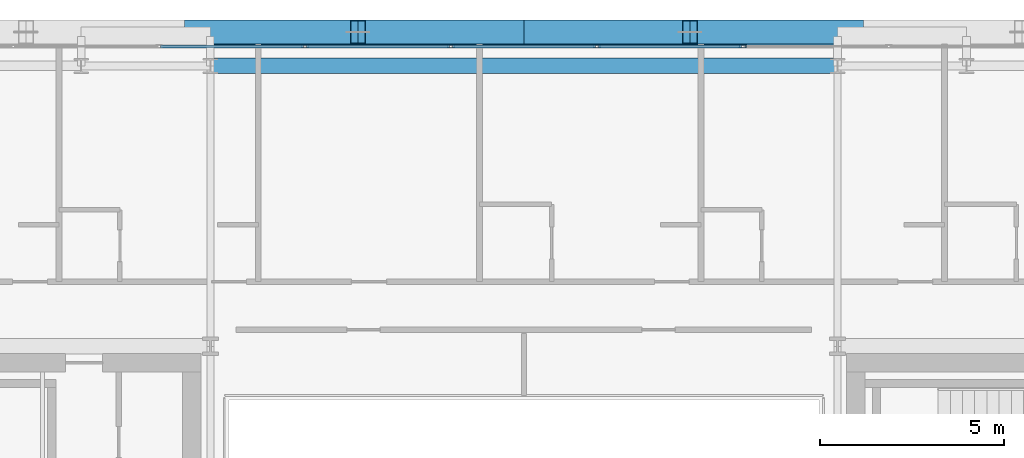
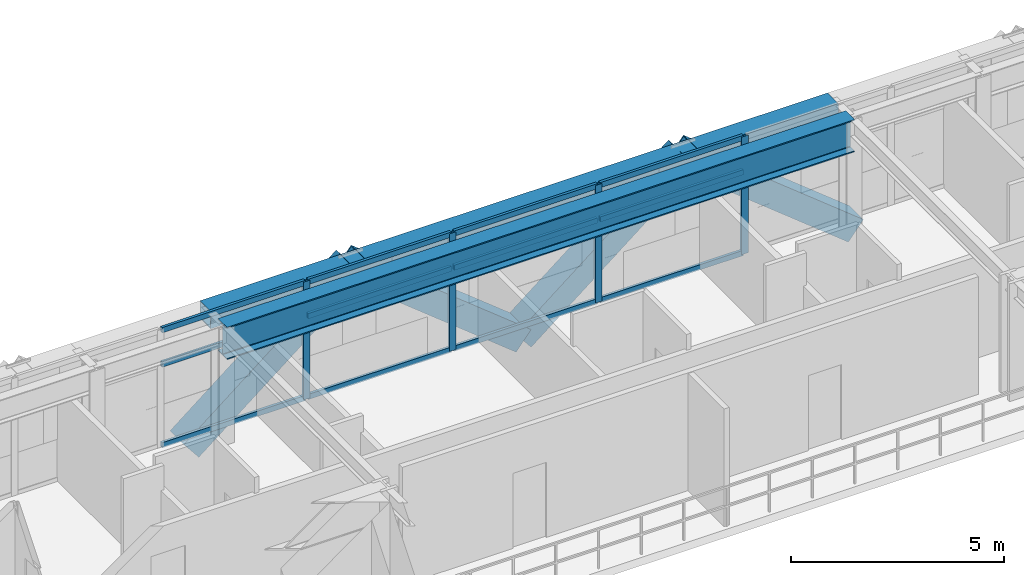
# One storey, part 17 of 31: 20 members, 2 beams, 1 element without a shape of its own.
"""IFC4 building model written with IfcOpenShell, lengths in metres."""

from ifc_helpers import new_model, si_unit, direction, frame, origin, origin_2d, place, context, subcontext, project, spatial, hollow_rectangle, i_section, extrude, source, transform, mapped, material, layer, layer_set, material_profile, profile_set, type_object, element, aggregate, save


model = new_model("IFC4")

# Units and contexts
model_context = context("Model", 3, precision=1e-05, world=origin(), true_north=direction((0.0, 1.0)))
body_context = subcontext(model_context, "Body", "Model", "MODEL_VIEW")
ifc_project = project(units=[si_unit("LENGTHUNIT", "METRE"), si_unit("AREAUNIT", "SQUARE_METRE"), si_unit("VOLUMEUNIT", "CUBIC_METRE"), si_unit("PLANEANGLEUNIT", "RADIAN"), si_unit("MASSUNIT", "GRAM", prefix="KILO")], contexts=[model_context])

# Site, building, storey
site_placement = place(None, origin())
site = spatial("IfcSite", under=ifc_project, at=site_placement, CompositionType="ELEMENT")
building_placement = place(site_placement, origin())
building = spatial("IfcBuilding", under=site, at=building_placement, Name="Ocotamira Hotel", CompositionType="ELEMENT")
storey_placement = place(building_placement, frame((0.0, 0.0, 202.800048828125)))
storey = spatial("IfcBuildingStorey", under=building, at=storey_placement, Name="L51", CompositionType="ELEMENT", Elevation=202.800048828125)

# Beams
ifc_material_1 = material(Name="Steel ASTM A992 Grade 50", Category="steel")
ifc_material_profile_1 = material_profile(ifc_material_1, i_section(OverallWidth=0.41796875, OverallDepth=0.927001953125, WebThickness=0.019287109375, FlangeThickness=0.031982421875, FilletRadius=0.02392578125, at=origin_2d()), Name="W36X231")
ifc_profile_set_1 = profile_set([ifc_material_profile_1], Name="Steel ASTM A992 Grade 50")
beam_type_1 = type_object("IfcBeamType", Name="BM-GIRD-W36X231", PredefinedType="BEAM", material=ifc_profile_set_1)
shared_shape_1 = source(origin(), body_context, "Body", "SweptSolid", [
    extrude(i_section(OverallWidth=0.41796875, OverallDepth=0.927001953125, WebThickness=0.019287109375, FlangeThickness=0.031982421875, FilletRadius=0.02392578125, at=origin_2d()), origin(), (0.0, 0.0, 1.0), 17.0),
])
beam_1_placement = place(storey_placement, frame((23.5, 45.050048828125, 2.906494140625), z_axis=(1.0, 0.0, 0.0), x_axis=(0.0, 1.0, 0.0)))
element("IfcBeam", 1, at=beam_1_placement, inside=storey, type_object=beam_type_1, Name="L51 Girder Y45.05 X23.5-40.5", PredefinedType="BEAM", context=body_context, shape_type="MappedRepresentation", body=[
    mapped(shared_shape_1, transform((0.0, 0.0, 0.0), scale=1.0)),
])
ifc_material_2 = material(Name="Steel ASTM A500 Grade C", Category="steel")
ifc_material_profile_2 = material_profile(ifc_material_2, hollow_rectangle(XDim=0.5, YDim=0.5, WallThickness=0.02001953125, at=origin_2d()), Name="HSS500X500X20")
ifc_profile_set_2 = profile_set([ifc_material_profile_2], Name="Steel ASTM A500 Grade C")
beam_type_2 = type_object("IfcBeamType", Name="BM-SPAN-HSS500", PredefinedType="USERDEFINED", material=ifc_profile_set_2)
shared_shape_2 = source(origin(), body_context, "Body", "SweptSolid", [
    extrude(hollow_rectangle(XDim=0.5, YDim=0.5, WallThickness=0.02001953125, at=origin_2d()), origin(), (0.0, 0.0, 1.0), 17.0),
])
beam_2_placement = place(storey_placement, frame((23.5, 45.85009765625, 3.119873046875), z_axis=(1.0, 0.0, 0.0), x_axis=(0.0, 1.0, 0.0)))
element("IfcBeam", 2, at=beam_2_placement, inside=storey, type_object=beam_type_2, Name="L51 Edge Spandrel N X23.5-40.5", ObjectType="SPANDREL", PredefinedType="USERDEFINED", context=body_context, shape_type="MappedRepresentation", body=[
    mapped(shared_shape_2, transform((0.0, 0.0, 0.0), scale=1.0)),
])

# Members
ifc_material_3 = material(Name="Pale-metal coated steel ASTM A913 Grade 65", Category="steel")
ifc_material_profile_3 = material_profile(ifc_material_3, hollow_rectangle(XDim=0.64990234375, YDim=0.64990234375, WallThickness=0.02197265625, at=origin_2d()), Name="BOX650X650X22")
ifc_profile_set_3 = profile_set([ifc_material_profile_3], Name="Pale-metal coated steel ASTM A913 Grade 65")
member_type_1 = type_object("IfcMemberType", Name="MEM-EXO-BOX650", PredefinedType="BRACE", material=ifc_profile_set_3)
shared_shape_3 = source(origin(), body_context, "Body", "SweptSolid", [
    extrude(hollow_rectangle(XDim=0.64990234375, YDim=0.64990234375, WallThickness=0.02197265625, at=origin_2d()), origin(), (0.0, 0.0, 1.0), 5.7626953125),
])
for number, where, z_axis, x_axis, name in (
    (3, (23.0, 45.969970703125, -0.47998046875), (0.780881208953, 0.0, 0.624679547852), (0.0, 1.0, 0.0), "L51 Exoskeleton Diagrid N1.1"),
    (4, (32.0, 45.969970703125, -0.47998046875), (-0.780881208953, 0.0, 0.624679547852), (0.0, -1.0, 0.0), "L51 Exoskeleton Diagrid N1.2"),
    (5, (32.0, 45.969970703125, -0.47998046875), (0.780881208953, 0.0, 0.624679547852), (0.0, 1.0, 0.0), "L51 Exoskeleton Diagrid N2.1"),
    (6, (41.0, 45.969970703125, -0.47998046875), (-0.780881208953, 0.0, 0.624679547852), (0.0, -1.0, 0.0), "L51 Exoskeleton Diagrid N2.2"),
):
    element("IfcMember", number, at=place(storey_placement, frame(where, z_axis=z_axis, x_axis=x_axis)), inside=storey, type_object=member_type_1, Name=name, PredefinedType="BRACE", context=body_context, shape_type="MappedRepresentation", body=[
        mapped(shared_shape_3, transform((0.0, 0.0, 0.0), scale=1.0)),
    ])

# Curtain wall, members
ifc_material_4 = material(Name="Anodised pale-metal aluminium and solar glass", Category="aluminium")
ifc_layer = layer(ifc_material_4, 0.199951171875)
ifc_layer_set = layer_set([ifc_layer], Name="Anodised pale-metal aluminium and solar glass")
curtain_wall_type = type_object("IfcCurtainWallType", Name="CW-SYS4-Z3", PredefinedType="NOTDEFINED", material=ifc_layer_set)
curtain_wall_placement = place(storey_placement, origin())
curtain_wall = element("IfcCurtainWall", 7, at=curtain_wall_placement, inside=storey, type_object=curtain_wall_type, Name="L51 Curtain Wall CW-4 CW-L51-N", PredefinedType="NOTDEFINED")
ifc_material_5 = material(Name="Anodised pale-metal aluminium 6063-T6", Category="aluminium")
ifc_material_profile_4 = material_profile(ifc_material_5, hollow_rectangle(XDim=0.074951171875, YDim=0.14990234375, WallThickness=0.006103515625, at=origin_2d()), Name="HSS150X75X6")
ifc_profile_set_4 = profile_set([ifc_material_profile_4], Name="Anodised pale-metal aluminium 6063-T6")
member_type_2 = type_object("IfcMemberType", Name="CWT-150X75", PredefinedType="USERDEFINED", material=ifc_profile_set_4)
shared_shape_4 = source(origin(), body_context, "Body", "SweptSolid", [
    extrude(hollow_rectangle(XDim=0.074951171875, YDim=0.14990234375, WallThickness=0.006103515625, at=origin_2d()), origin(), (0.0, 0.0, 1.0), 3.87548828125),
])
member_1_placement = place(storey_placement, frame((22.151123046875, 45.580078125, 0.037353515625), z_axis=(1.0, 0.0, 0.0), x_axis=(0.0, 1.0, 0.0)))
member_1 = element("IfcMember", 8, at=member_1_placement, type_object=member_type_2, Name="CW-4 transom 3.1", ObjectType="TRANSOM", PredefinedType="USERDEFINED", context=body_context, shape_type="MappedRepresentation", body=[
    mapped(shared_shape_4, transform((0.0, 0.0, 0.0), scale=1.0)),
])
member_2_placement = place(storey_placement, frame((22.151123046875, 45.580078125, 2.349853515625), z_axis=(1.0, 0.0, 0.0), x_axis=(0.0, 1.0, 0.0)))
member_2 = element("IfcMember", 9, at=member_2_placement, type_object=member_type_2, Name="CW-4 transom 3.2", ObjectType="TRANSOM", PredefinedType="USERDEFINED", context=body_context, shape_type="MappedRepresentation", body=[
    mapped(shared_shape_4, transform((0.0, 0.0, 0.0), scale=1.0)),
])
member_3_placement = place(storey_placement, frame((22.151123046875, 45.580078125, 3.33251953125), z_axis=(1.0, 0.0, 0.0), x_axis=(0.0, 1.0, 0.0)))
member_3 = element("IfcMember", 10, at=member_3_placement, type_object=member_type_2, Name="CW-4 transom 3.3", ObjectType="TRANSOM", PredefinedType="USERDEFINED", context=body_context, shape_type="MappedRepresentation", body=[
    mapped(shared_shape_4, transform((0.0, 0.0, 0.0), scale=1.0)),
])
member_4_placement = place(storey_placement, frame((26.106689453125, 45.580078125, 0.037353515625), z_axis=(1.0, 0.0, 0.0), x_axis=(0.0, 1.0, 0.0)))
member_4 = element("IfcMember", 11, at=member_4_placement, type_object=member_type_2, Name="CW-4 transom 4.1", ObjectType="TRANSOM", PredefinedType="USERDEFINED", context=body_context, shape_type="MappedRepresentation", body=[
    mapped(shared_shape_4, transform((0.0, 0.0, 0.0), scale=1.0)),
])
member_5_placement = place(storey_placement, frame((26.106689453125, 45.580078125, 2.349853515625), z_axis=(1.0, 0.0, 0.0), x_axis=(0.0, 1.0, 0.0)))
member_5 = element("IfcMember", 12, at=member_5_placement, type_object=member_type_2, Name="CW-4 transom 4.2", ObjectType="TRANSOM", PredefinedType="USERDEFINED", context=body_context, shape_type="MappedRepresentation", body=[
    mapped(shared_shape_4, transform((0.0, 0.0, 0.0), scale=1.0)),
])
member_6_placement = place(storey_placement, frame((26.106689453125, 45.580078125, 3.33251953125), z_axis=(1.0, 0.0, 0.0), x_axis=(0.0, 1.0, 0.0)))
member_6 = element("IfcMember", 13, at=member_6_placement, type_object=member_type_2, Name="CW-4 transom 4.3", ObjectType="TRANSOM", PredefinedType="USERDEFINED", context=body_context, shape_type="MappedRepresentation", body=[
    mapped(shared_shape_4, transform((0.0, 0.0, 0.0), scale=1.0)),
])
member_7_placement = place(storey_placement, frame((30.062255859375, 45.580078125, 0.037353515625), z_axis=(1.0, 0.0, 0.0), x_axis=(0.0, 1.0, 0.0)))
member_7 = element("IfcMember", 14, at=member_7_placement, type_object=member_type_2, Name="CW-4 transom 5.1", ObjectType="TRANSOM", PredefinedType="USERDEFINED", context=body_context, shape_type="MappedRepresentation", body=[
    mapped(shared_shape_4, transform((0.0, 0.0, 0.0), scale=1.0)),
])
member_8_placement = place(storey_placement, frame((30.062255859375, 45.580078125, 2.349853515625), z_axis=(1.0, 0.0, 0.0), x_axis=(0.0, 1.0, 0.0)))
member_8 = element("IfcMember", 15, at=member_8_placement, type_object=member_type_2, Name="CW-4 transom 5.2", ObjectType="TRANSOM", PredefinedType="USERDEFINED", context=body_context, shape_type="MappedRepresentation", body=[
    mapped(shared_shape_4, transform((0.0, 0.0, 0.0), scale=1.0)),
])
member_9_placement = place(storey_placement, frame((30.062255859375, 45.580078125, 3.33251953125), z_axis=(1.0, 0.0, 0.0), x_axis=(0.0, 1.0, 0.0)))
member_9 = element("IfcMember", 16, at=member_9_placement, type_object=member_type_2, Name="CW-4 transom 5.3", ObjectType="TRANSOM", PredefinedType="USERDEFINED", context=body_context, shape_type="MappedRepresentation", body=[
    mapped(shared_shape_4, transform((0.0, 0.0, 0.0), scale=1.0)),
])
member_10_placement = place(storey_placement, frame((34.017822265625, 45.580078125, 0.037353515625), z_axis=(1.0, 0.0, 0.0), x_axis=(0.0, 1.0, 0.0)))
member_10 = element("IfcMember", 17, at=member_10_placement, type_object=member_type_2, Name="CW-4 transom 6.1", ObjectType="TRANSOM", PredefinedType="USERDEFINED", context=body_context, shape_type="MappedRepresentation", body=[
    mapped(shared_shape_4, transform((0.0, 0.0, 0.0), scale=1.0)),
])
member_11_placement = place(storey_placement, frame((34.017822265625, 45.580078125, 2.349853515625), z_axis=(1.0, 0.0, 0.0), x_axis=(0.0, 1.0, 0.0)))
member_11 = element("IfcMember", 18, at=member_11_placement, type_object=member_type_2, Name="CW-4 transom 6.2", ObjectType="TRANSOM", PredefinedType="USERDEFINED", context=body_context, shape_type="MappedRepresentation", body=[
    mapped(shared_shape_4, transform((0.0, 0.0, 0.0), scale=1.0)),
])
member_12_placement = place(storey_placement, frame((34.017822265625, 45.580078125, 3.33251953125), z_axis=(1.0, 0.0, 0.0), x_axis=(0.0, 1.0, 0.0)))
member_12 = element("IfcMember", 19, at=member_12_placement, type_object=member_type_2, Name="CW-4 transom 6.3", ObjectType="TRANSOM", PredefinedType="USERDEFINED", context=body_context, shape_type="MappedRepresentation", body=[
    mapped(shared_shape_4, transform((0.0, 0.0, 0.0), scale=1.0)),
])
ifc_material_profile_5 = material_profile(ifc_material_5, hollow_rectangle(XDim=0.080078125, YDim=0.179931640625, WallThickness=0.006103515625, at=origin_2d()), Name="HSS180X80X6")
ifc_profile_set_5 = profile_set([ifc_material_profile_5], Name="Anodised pale-metal aluminium 6063-T6")
member_type_3 = type_object("IfcMemberType", Name="CWM-180X75", PredefinedType="MULLION", material=ifc_profile_set_5)
shared_shape_5 = source(origin(), body_context, "Body", "SweptSolid", [
    extrude(hollow_rectangle(XDim=0.080078125, YDim=0.179931640625, WallThickness=0.006103515625, at=origin_2d()), origin(), (0.0, 0.0, 1.0), 3.369873046875),
])
member_13_placement = place(storey_placement, frame((26.066650390625, 45.580078125, 0.0), z_axis=(0.0, 0.0, 1.0), x_axis=(0.0, 1.0, 0.0)))
member_13 = element("IfcMember", 20, at=member_13_placement, type_object=member_type_3, Name="CW-4 mullion 4", PredefinedType="MULLION", context=body_context, shape_type="MappedRepresentation", body=[
    mapped(shared_shape_5, transform((0.0, 0.0, 0.0), scale=1.0)),
])
member_14_placement = place(storey_placement, frame((30.022216796875, 45.580078125, 0.0), z_axis=(0.0, 0.0, 1.0), x_axis=(0.0, 1.0, 0.0)))
member_14 = element("IfcMember", 21, at=member_14_placement, type_object=member_type_3, Name="CW-4 mullion 5", PredefinedType="MULLION", context=body_context, shape_type="MappedRepresentation", body=[
    mapped(shared_shape_5, transform((0.0, 0.0, 0.0), scale=1.0)),
])
member_15_placement = place(storey_placement, frame((33.977783203125, 45.580078125, 0.0), z_axis=(0.0, 0.0, 1.0), x_axis=(0.0, 1.0, 0.0)))
member_15 = element("IfcMember", 22, at=member_15_placement, type_object=member_type_3, Name="CW-4 mullion 6", PredefinedType="MULLION", context=body_context, shape_type="MappedRepresentation", body=[
    mapped(shared_shape_5, transform((0.0, 0.0, 0.0), scale=1.0)),
])
member_16_placement = place(storey_placement, frame((37.933349609375, 45.580078125, 0.0), z_axis=(0.0, 0.0, 1.0), x_axis=(0.0, 1.0, 0.0)))
member_16 = element("IfcMember", 23, at=member_16_placement, type_object=member_type_3, Name="CW-4 mullion 7", PredefinedType="MULLION", context=body_context, shape_type="MappedRepresentation", body=[
    mapped(shared_shape_5, transform((0.0, 0.0, 0.0), scale=1.0)),
])
aggregate(curtain_wall, [member_13, member_14, member_15, member_16, member_1, member_2, member_3, member_4, member_5, member_6, member_7, member_8, member_9, member_10, member_11, member_12])

save(model, "model.ifc")
